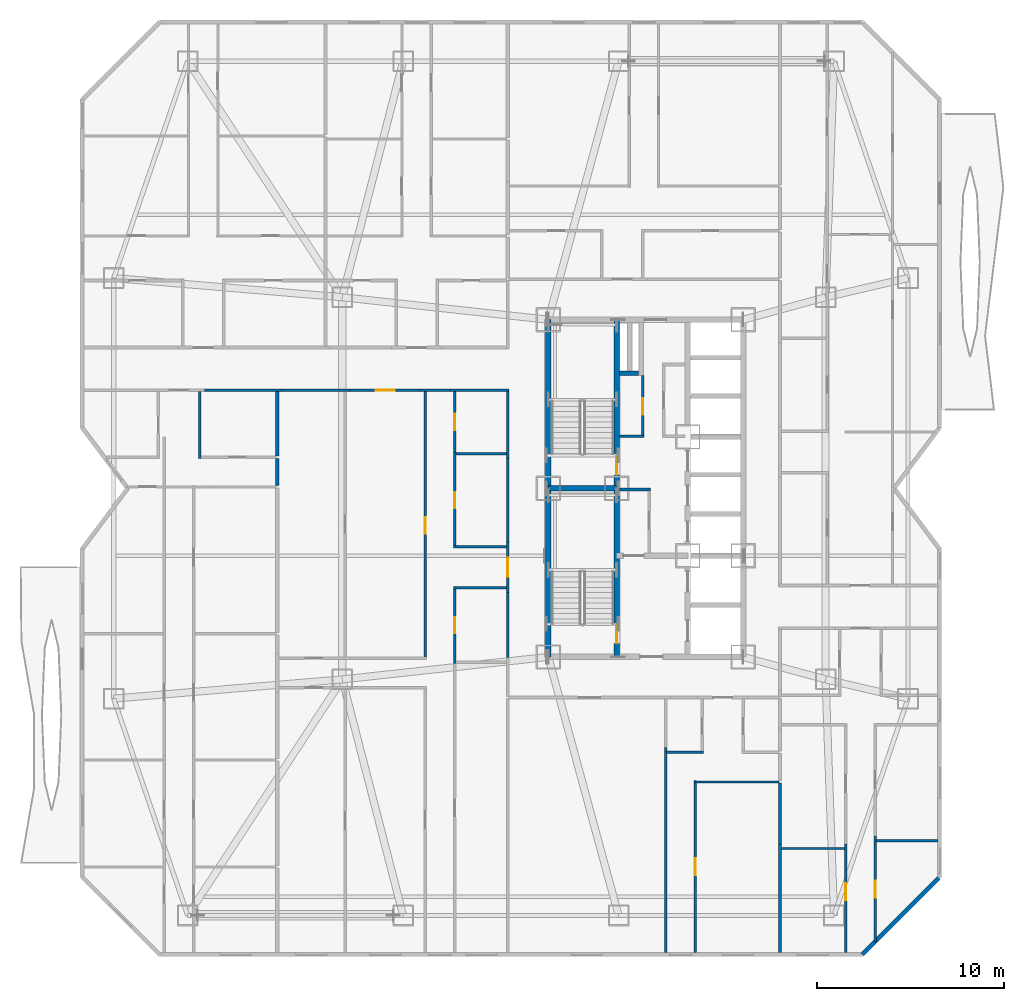
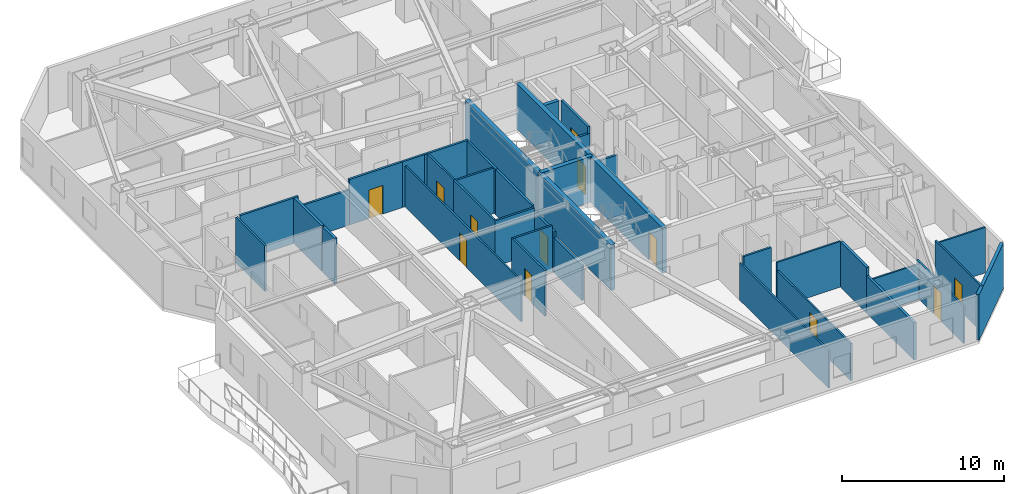
# One storey, part 9 of 16: 39 walls, 12 doors, 12 openings.
"""IFC4 building model written with IfcOpenShell, lengths in metres."""

from ifc_helpers import new_model, si_unit, direction, frame, frame_2d, origin, place, context, subcontext, project, spatial, rectangle, extrude, material, layer, layer_set, type_object, element, fill, save


model = new_model("IFC4")

# Units and contexts
model_context = context("Model", 3, precision=1e-05, world=origin(), true_north=direction((0.0, 1.0)))
body_context = subcontext(model_context, "Body", "Model", "MODEL_VIEW")
ifc_project = project(units=[si_unit("LENGTHUNIT", "METRE"), si_unit("AREAUNIT", "SQUARE_METRE"), si_unit("VOLUMEUNIT", "CUBIC_METRE"), si_unit("PLANEANGLEUNIT", "RADIAN"), si_unit("MASSUNIT", "GRAM", prefix="KILO")], contexts=[model_context])

# Site, building, storey
site_placement = place(None, origin())
site = spatial("IfcSite", under=ifc_project, at=site_placement, CompositionType="ELEMENT")
building_placement = place(site_placement, origin())
building = spatial("IfcBuilding", under=site, at=building_placement, Name="Khamvora Tower", CompositionType="ELEMENT")
storey_placement = place(building_placement, frame((0.0, 0.0, 66.14990234375)))
storey = spatial("IfcBuildingStorey", under=building, at=storey_placement, Name="L16", CompositionType="ELEMENT", Elevation=66.14990234375)

# Walls
ifc_material_1 = material(Name="Concrete C50/60", Category="concrete")
ifc_layer_1 = layer(ifc_material_1, 0.300048828125)
ifc_layer_set_1 = layer_set([ifc_layer_1], Name="Concrete C50/60")
wall_type_1 = type_object("IfcWallType", Name="WAL-CORE-300", PredefinedType="SHEAR", material=ifc_layer_set_1)
for number, where, z_axis, x_axis, name in (
    (1, (29.0, 19.0, 0.0), (0.0, 0.0, 1.0), (0.0, 1.0, 0.0), "L16 central core west south wall"),
    (2, (29.0, 28.0, 0.0), (0.0, 0.0, 1.0), (0.0, 1.0, 0.0), "L16 central core west north wall"),
):
    element("IfcWall", number, at=place(storey_placement, frame(where, z_axis=z_axis, x_axis=x_axis)), inside=storey, type_object=wall_type_1, Name=name, PredefinedType="SHEAR", context=body_context, shape_type="SweptSolid", body=[
        extrude(rectangle(XDim=9.0, YDim=0.300048828125, at=frame_2d((4.5, 0.0))), origin(), (0.0, 0.0, 1.0), 3.43017578125),
    ])

# Wall, opening, door
wall_1_placement = place(storey_placement, frame((32.64990234375, 19.0, 0.0), z_axis=(0.0, 0.0, 1.0), x_axis=(0.0, 1.0, 0.0)))
wall_1 = element("IfcWall", 3, at=wall_1_placement, inside=storey, type_object=wall_type_1, Name="L16 central core stair south spine wall", PredefinedType="SHEAR", context=body_context, shape_type="SweptSolid", body=[
    extrude(rectangle(XDim=9.0, YDim=0.300048828125, at=frame_2d((4.5, 0.0))), origin(), (0.0, 0.0, 1.0), 3.43017578125),
])
opening_1_placement = place(wall_1_placement, frame((0.719970703125, 0.0, 0.0)))
opening_1 = element("IfcOpeningElement", 4, at=opening_1_placement, cuts=wall_1, Name="Opening D-ST1", PredefinedType="OPENING", context=body_context, shape_type="SweptSolid", body=[
    extrude(rectangle(XDim=1.0, YDim=2.14990234375, at=frame_2d((0.5, 1.074951171875))), frame((0.0, 0.159912109375, 0.0), z_axis=(0.0, -1.0, 0.0), x_axis=(1.0, 0.0, 0.0)), (0.0, 0.0, 1.0), 0.320068359375),
])
ifc_material_2 = material(Name="Powder-Coated Steel and Hardwood Leaf", Category="steel")
door_type_1 = type_object("IfcDoorType", Name="DOR-STAIR-1000", OperationType="NOTDEFINED", PredefinedType="DOOR", material=ifc_material_2)
door_1_placement = place(opening_1_placement, origin())
door_1 = element("IfcDoor", 5, at=door_1_placement, inside=storey, type_object=door_type_1, Name="L16 exit stair ST-01 fire door", OperationType="SINGLE_SWING_RIGHT", OverallHeight=2.14990234375, OverallWidth=1.0, PredefinedType="DOOR", context=body_context, shape_type="SweptSolid", body=[
    extrude(rectangle(XDim=1.0, YDim=2.14990234375, at=frame_2d((0.5, 1.074951171875))), frame((0.0, 0.02490234375, 0.0), z_axis=(0.0, -1.0, 0.0), x_axis=(1.0, 0.0, 0.0)), (0.0, 0.0, 1.0), 0.050048828125),
])
fill(opening_1, door_1)

wall_2_placement = place(storey_placement, frame((32.64990234375, 28.0, 0.0), z_axis=(0.0, 0.0, 1.0), x_axis=(0.0, 1.0, 0.0)))
wall_2 = element("IfcWall", 6, at=wall_2_placement, inside=storey, type_object=wall_type_1, Name="L16 central core stair north spine wall", PredefinedType="SHEAR", context=body_context, shape_type="SweptSolid", body=[
    extrude(rectangle(XDim=9.0, YDim=0.300048828125, at=frame_2d((4.5, 0.0))), origin(), (0.0, 0.0, 1.0), 3.43017578125),
])
opening_2_placement = place(wall_2_placement, frame((0.719970703125, 0.0, 0.0)))
opening_2 = element("IfcOpeningElement", 7, at=opening_2_placement, cuts=wall_2, Name="Opening D-ST1", PredefinedType="OPENING", context=body_context, shape_type="SweptSolid", body=[
    extrude(rectangle(XDim=1.0, YDim=2.14990234375, at=frame_2d((0.5, 1.074951171875))), frame((0.0, 0.159912109375, 0.0), z_axis=(0.0, -1.0, 0.0), x_axis=(1.0, 0.0, 0.0)), (0.0, 0.0, 1.0), 0.320068359375),
])
door_2_placement = place(opening_2_placement, origin())
door_2 = element("IfcDoor", 8, at=door_2_placement, inside=storey, type_object=door_type_1, Name="L16 exit stair ST-02 fire door", OperationType="SINGLE_SWING_RIGHT", OverallHeight=2.14990234375, OverallWidth=1.0, PredefinedType="DOOR", context=body_context, shape_type="SweptSolid", body=[
    extrude(rectangle(XDim=1.0, YDim=2.14990234375, at=frame_2d((0.5, 1.074951171875))), frame((0.0, 0.02490234375, 0.0), z_axis=(0.0, -1.0, 0.0), x_axis=(1.0, 0.0, 0.0)), (0.0, 0.0, 1.0), 0.050048828125),
])
fill(opening_2, door_2)

# Walls
wall_3_placement = place(storey_placement, frame((29.0, 28.0, 0.0), z_axis=(0.0, 0.0, 1.0), x_axis=(1.0, 0.0, 0.0)))
element("IfcWall", 9, at=wall_3_placement, inside=storey, type_object=wall_type_1, Name="L16 central core stair cross wall", PredefinedType="SHEAR", context=body_context, shape_type="SweptSolid", body=[
    extrude(rectangle(XDim=3.64990234375, YDim=0.300048828125, at=frame_2d((1.824951171875, 0.0))), origin(), (0.0, 0.0, 1.0), 3.43017578125),
])
ifc_material_3 = material(Name="Fire-Rated Drywall and Steel Stud", Category="steel")
ifc_layer_2 = layer(ifc_material_3, 0.14990234375)
ifc_layer_set_2 = layer_set([ifc_layer_2], Name="Fire-Rated Drywall and Steel Stud")
wall_type_2 = type_object("IfcWallType", Name="WAL-CORR-150", PredefinedType="STANDARD", material=ifc_layer_set_2)
wall_4_placement = place(storey_placement, frame((32.7939453125, 30.784912109375, 0.0), z_axis=(0.0, 0.0, 1.0), x_axis=(1.0, 0.0, 0.0)))
element("IfcWall", 10, at=wall_4_placement, inside=storey, type_object=wall_type_2, Name="L16 interior partition wall 004", PredefinedType="STANDARD", context=body_context, shape_type="SweptSolid", body=[
    extrude(rectangle(XDim=1.30615234375, YDim=0.14990234375, at=frame_2d((0.653076171875, 0.0))), origin(), (0.0, 0.0, 1.0), 2.88720703125),
])

# Wall, opening, door
wall_5_placement = place(storey_placement, frame((34.034912109375, 30.719970703125, 0.0), z_axis=(0.0, 0.0, 1.0), x_axis=(0.0, 1.0, 0.0)))
wall_5 = element("IfcWall", 11, at=wall_5_placement, inside=storey, type_object=wall_type_2, Name="L16 interior partition wall 005", PredefinedType="STANDARD", context=body_context, shape_type="SweptSolid", body=[
    extrude(rectangle(XDim=3.300048828125, YDim=0.14990234375, at=frame_2d((1.64990234375, 0.0))), origin(), (0.0, 0.0, 1.0), 3.43017578125),
])
opening_3_placement = place(wall_5_placement, frame((1.199951171875, 0.0, 0.0)))
opening_3 = element("IfcOpeningElement", 12, at=opening_3_placement, cuts=wall_5, Name="Opening D-RM1", PredefinedType="OPENING", context=body_context, shape_type="SweptSolid", body=[
    extrude(rectangle(XDim=0.89990234375, YDim=2.10009765625, at=frame_2d((0.449951171875, 1.050048828125))), frame((0.0, 0.0849609375, 0.0), z_axis=(0.0, -1.0, 0.0), x_axis=(1.0, 0.0, 0.0)), (0.0, 0.0, 1.0), 0.169921875),
])
door_type_2 = type_object("IfcDoorType", Name="DOR-ROOM-900", OperationType="NOTDEFINED", PredefinedType="DOOR", material=ifc_material_2)
door_3_placement = place(opening_3_placement, origin())
door_3 = element("IfcDoor", 13, at=door_3_placement, inside=storey, type_object=door_type_2, Name="L16 interior door PLL-CS2", OperationType="SINGLE_SWING_LEFT", OverallHeight=2.10009765625, OverallWidth=0.89990234375, PredefinedType="DOOR", context=body_context, shape_type="SweptSolid", body=[
    extrude(rectangle(XDim=0.89990234375, YDim=2.10009765625, at=frame_2d((0.449951171875, 1.050048828125))), frame((0.0, 0.02490234375, 0.0), z_axis=(0.0, -1.0, 0.0), x_axis=(1.0, 0.0, 0.0)), (0.0, 0.0, 1.0), 0.050048828125),
])
fill(opening_3, door_3)

# Walls
wall_6_placement = place(storey_placement, frame((34.449951171875, 27.93505859375, 0.0), z_axis=(0.0, 0.0, 1.0), x_axis=(-1.0, 0.0, 0.0)))
element("IfcWall", 14, at=wall_6_placement, inside=storey, type_object=wall_type_2, Name="L16 interior partition wall 007", PredefinedType="STANDARD", context=body_context, shape_type="SweptSolid", body=[
    extrude(rectangle(XDim=1.656005859375, YDim=0.14990234375, at=frame_2d((0.828125, 0.0))), origin(), (0.0, 0.0, 1.0), 2.88720703125),
])
wall_7_placement = place(storey_placement, frame((14.782958984375, 33.235107421875, 0.0), z_axis=(0.0, 0.0, 1.0), x_axis=(-1.0, 0.0, 0.0)))
element("IfcWall", 15, at=wall_7_placement, inside=storey, type_object=wall_type_2, Name="L16 interior partition wall 011", PredefinedType="STANDARD", context=body_context, shape_type="SweptSolid", body=[
    extrude(rectangle(XDim=4.14501953125, YDim=0.14990234375, at=frame_2d((2.072509765625, 0.0))), origin(), (0.0, 0.0, 1.0), 3.43017578125),
])
wall_8_placement = place(storey_placement, frame((26.8349609375, 29.60009765625, 0.0), z_axis=(0.0, 0.0, 1.0), x_axis=(0.0, 1.0, 0.0)))
element("IfcWall", 16, at=wall_8_placement, inside=storey, type_object=wall_type_2, Name="L16 interior partition wall 013", PredefinedType="STANDARD", context=body_context, shape_type="SweptSolid", body=[
    extrude(rectangle(XDim=3.699951171875, YDim=0.14990234375, at=frame_2d((1.85009765625, 0.0))), origin(), (0.0, 0.0, 1.0), 3.43017578125),
])
wall_9_placement = place(storey_placement, frame((26.89794921875, 33.235107421875, 0.0), z_axis=(0.0, 0.0, 1.0), x_axis=(-1.0, 0.0, 0.0)))
element("IfcWall", 17, at=wall_9_placement, inside=storey, type_object=wall_type_2, Name="L16 interior partition wall 014", PredefinedType="STANDARD", context=body_context, shape_type="SweptSolid", body=[
    extrude(rectangle(XDim=3.14306640625, YDim=0.14990234375, at=frame_2d((1.571533203125, 0.0))), origin(), (0.0, 0.0, 1.0), 3.43017578125),
])

# Wall, opening, door
wall_10_placement = place(storey_placement, frame((26.8349609375, 22.43505859375, 0.0), z_axis=(0.0, 0.0, 1.0), x_axis=(0.0, 1.0, 0.0)))
wall_10 = element("IfcWall", 18, at=wall_10_placement, inside=storey, type_object=wall_type_2, Name="L16 interior partition wall 015", PredefinedType="STANDARD", context=body_context, shape_type="SweptSolid", body=[
    extrude(rectangle(XDim=2.697998046875, YDim=0.14990234375, at=frame_2d((1.34912109375, 0.0))), origin(), (0.0, 0.0, 1.0), 3.065185546875),
])
opening_4_placement = place(wall_10_placement, frame((0.84912109375, 0.0, 0.0)))
opening_4 = element("IfcOpeningElement", 19, at=opening_4_placement, cuts=wall_10, Name="Opening D-U1", PredefinedType="OPENING", context=body_context, shape_type="SweptSolid", body=[
    extrude(rectangle(XDim=1.0, YDim=2.14990234375, at=frame_2d((0.5, 1.074951171875))), frame((0.0, 0.0849609375, 0.0), z_axis=(0.0, -1.0, 0.0), x_axis=(1.0, 0.0, 0.0)), (0.0, 0.0, 1.0), 0.169921875),
])
door_type_3 = type_object("IfcDoorType", Name="DOR-UNIT-1000", OperationType="NOTDEFINED", PredefinedType="DOOR", material=ifc_material_2)
door_4_placement = place(opening_4_placement, origin())
door_4 = element("IfcDoor", 20, at=door_4_placement, inside=storey, type_object=door_type_3, Name="L16 interior door COR-16WA2H", OperationType="SINGLE_SWING_LEFT", OverallHeight=2.14990234375, OverallWidth=1.0, PredefinedType="DOOR", context=body_context, shape_type="SweptSolid", body=[
    extrude(rectangle(XDim=1.0, YDim=2.14990234375, at=frame_2d((0.5, 1.074951171875))), frame((0.0, 0.02490234375, 0.0), z_axis=(0.0, -1.0, 0.0), x_axis=(1.0, 0.0, 0.0)), (0.0, 0.0, 1.0), 0.050048828125),
])
fill(opening_4, door_4)

# Walls
wall_11_placement = place(storey_placement, frame((23.7548828125, 33.235107421875, 0.0), z_axis=(0.0, 0.0, 1.0), x_axis=(-1.0, 0.0, 0.0)))
element("IfcWall", 21, at=wall_11_placement, inside=storey, type_object=wall_type_2, Name="L16 interior partition wall 016", PredefinedType="STANDARD", context=body_context, shape_type="SweptSolid", body=[
    extrude(rectangle(XDim=1.579833984375, YDim=0.14990234375, at=frame_2d((0.7900390625, 0.0))), origin(), (0.0, 0.0, 1.0), 3.43017578125),
])
wall_12_placement = place(storey_placement, frame((26.8349609375, 18.968017578125, 0.0), z_axis=(0.0, 0.0, 1.0), x_axis=(0.0, 1.0, 0.0)))
element("IfcWall", 22, at=wall_12_placement, inside=storey, type_object=wall_type_2, Name="L16 interior partition wall 017", PredefinedType="STANDARD", context=body_context, shape_type="SweptSolid", body=[
    extrude(rectangle(XDim=3.467041015625, YDim=0.14990234375, at=frame_2d((1.7333984375, 0.0))), origin(), (0.0, 0.0, 1.0), 2.647216796875),
])
wall_13_placement = place(storey_placement, frame((26.8349609375, 25.133056640625, 0.0), z_axis=(0.0, 0.0, 1.0), x_axis=(0.0, 1.0, 0.0)))
element("IfcWall", 23, at=wall_13_placement, inside=storey, type_object=wall_type_2, Name="L16 interior partition wall 018", PredefinedType="STANDARD", context=body_context, shape_type="SweptSolid", body=[
    extrude(rectangle(XDim=4.467041015625, YDim=0.14990234375, at=frame_2d((2.2333984375, 0.0))), origin(), (0.0, 0.0, 1.0), 3.43017578125),
])
wall_14_placement = place(storey_placement, frame((18.406982421875, 33.235107421875, 0.0), z_axis=(0.0, 0.0, 1.0), x_axis=(-1.0, 0.0, 0.0)))
element("IfcWall", 24, at=wall_14_placement, inside=storey, type_object=wall_type_2, Name="L16 interior partition wall 019", PredefinedType="STANDARD", context=body_context, shape_type="SweptSolid", body=[
    extrude(rectangle(XDim=3.6240234375, YDim=0.14990234375, at=frame_2d((1.81201171875, 0.0))), origin(), (0.0, 0.0, 1.0), 2.647216796875),
])

# Wall, opening, door
wall_15_placement = place(storey_placement, frame((22.175048828125, 33.235107421875, 0.0), z_axis=(0.0, 0.0, 1.0), x_axis=(-1.0, 0.0, 0.0)))
wall_15 = element("IfcWall", 25, at=wall_15_placement, inside=storey, type_object=wall_type_2, Name="L16 interior partition wall 020", PredefinedType="STANDARD", context=body_context, shape_type="SweptSolid", body=[
    extrude(rectangle(XDim=3.76806640625, YDim=0.14990234375, at=frame_2d((1.884033203125, 0.0))), origin(), (0.0, 0.0, 1.0), 3.43017578125),
])
opening_5_placement = place(wall_15_placement, frame((1.384033203125, 0.0, 0.0)))
opening_5 = element("IfcOpeningElement", 26, at=opening_5_placement, cuts=wall_15, Name="Opening D-U1", PredefinedType="OPENING", context=body_context, shape_type="SweptSolid", body=[
    extrude(rectangle(XDim=1.0, YDim=2.14990234375, at=frame_2d((0.5, 1.074951171875))), frame((0.0, 0.0849609375, 0.0), z_axis=(0.0, -1.0, 0.0), x_axis=(1.0, 0.0, 0.0)), (0.0, 0.0, 1.0), 0.169921875),
])
door_5_placement = place(opening_5_placement, origin())
door_5 = element("IfcDoor", 27, at=door_5_placement, inside=storey, type_object=door_type_3, Name="L16 interior door COR-16WA2R4", OperationType="SINGLE_SWING_RIGHT", OverallHeight=2.14990234375, OverallWidth=1.0, PredefinedType="DOOR", context=body_context, shape_type="SweptSolid", body=[
    extrude(rectangle(XDim=1.0, YDim=2.14990234375, at=frame_2d((0.5, 1.074951171875))), frame((0.0, 0.02490234375, 0.0), z_axis=(0.0, -1.0, 0.0), x_axis=(1.0, 0.0, 0.0)), (0.0, 0.0, 1.0), 0.050048828125),
])
fill(opening_5, door_5)

# Walls
ifc_material_4 = material(Name="Acoustic Double-Stud Fire Wall", Category="gypsum")
ifc_layer_3 = layer(ifc_material_4, 0.179931640625)
ifc_layer_set_3 = layer_set([ifc_layer_3], Name="Acoustic Double-Stud Fire Wall")
wall_type_3 = type_object("IfcWallType", Name="WAL-CORR-180", PredefinedType="STANDARD", material=ifc_layer_set_3)
wall_16_placement = place(storey_placement, frame((14.533935546875, 29.590087890625, 0.0), z_axis=(0.0, 0.0, 1.0), x_axis=(0.0, -1.0, 0.0)))
element("IfcWall", 28, at=wall_16_placement, inside=storey, type_object=wall_type_3, Name="L16 interior partition wall 064", PredefinedType="STANDARD", context=body_context, shape_type="SweptSolid", body=[
    extrude(rectangle(XDim=1.4501953125, YDim=0.179931640625, at=frame_2d((0.72509765625, 0.0))), origin(), (0.0, 0.0, 1.0), 3.43017578125),
])
wall_17_placement = place(storey_placement, frame((14.533935546875, 33.16796875, 0.0), z_axis=(0.0, 0.0, 1.0), x_axis=(0.0, -1.0, 0.0)))
element("IfcWall", 29, at=wall_17_placement, inside=storey, type_object=wall_type_3, Name="L16 interior partition wall 065", PredefinedType="STANDARD", context=body_context, shape_type="SweptSolid", body=[
    extrude(rectangle(XDim=3.447998046875, YDim=0.179931640625, at=frame_2d((1.72412109375, 0.0))), origin(), (0.0, 0.0, 1.0), 3.43017578125),
])
wall_18_placement = place(storey_placement, frame((41.364990234375, 9.02587890625, 0.0), z_axis=(0.0, 0.0, 1.0), x_axis=(0.0, -1.0, 0.0)))
element("IfcWall", 30, at=wall_18_placement, inside=storey, type_object=wall_type_3, Name="L16 interior partition wall 135", PredefinedType="STANDARD", context=body_context, shape_type="SweptSolid", body=[
    extrude(rectangle(XDim=5.81396484375, YDim=0.179931640625, at=frame_2d((2.906982421875, 0.0))), origin(), (0.0, 0.0, 1.0), 2.802978515625),
])
wall_19_placement = place(storey_placement, frame((41.364990234375, 12.260986328125, 0.0), z_axis=(0.0, 0.0, 1.0), x_axis=(0.0, -1.0, 0.0)))
element("IfcWall", 31, at=wall_19_placement, inside=storey, type_object=wall_type_3, Name="L16 interior partition wall 136", PredefinedType="STANDARD", context=body_context, shape_type="SweptSolid", body=[
    extrude(rectangle(XDim=3.235107421875, YDim=0.179931640625, at=frame_2d((1.61767578125, 0.0))), origin(), (0.0, 0.0, 1.0), 3.43017578125),
])
ifc_material_5 = material(Name="Precast concrete C40/50", Category="concrete")
ifc_layer_4 = layer(ifc_material_5, 0.219970703125)
ifc_layer_set_4 = layer_set([ifc_layer_4], Name="Precast concrete C40/50")
wall_type_4 = type_object("IfcWallType", Name="WAL-EXT-220", PredefinedType="STANDARD", material=ifc_layer_set_4)
wall_20_placement = place(storey_placement, frame((49.840087890625, 7.196044921875, 0.0), z_axis=(0.0, 0.0, 1.0), x_axis=(-0.707127905562, -0.70708565618, 0.0)))
element("IfcWall", 32, at=wall_20_placement, inside=storey, type_object=wall_type_4, Name="L16 exterior facade wall 13.1", PredefinedType="STANDARD", context=body_context, shape_type="SweptSolid", body=[
    extrude(rectangle(XDim=5.778564453125, YDim=0.219970703125, at=frame_2d((2.88916015625, 0.0))), origin(), (0.0, 0.0, 1.0), 3.43017578125),
])
ifc_material_6 = material(Name="Gypsum Plasterboard Partition", Category="gypsum")
ifc_layer_5 = layer(ifc_material_6, 0.1201171875)
ifc_layer_set_5 = layer_set([ifc_layer_5], Name="Gypsum Plasterboard Partition")
wall_type_5 = type_object("IfcWallType", Name="WAL-PART-120", PredefinedType="PARTITIONING", material=ifc_layer_set_5)
wall_21_placement = place(storey_placement, frame((35.264892578125, 14.155029296875, 0.0), z_axis=(0.0, 0.0, 1.0), x_axis=(0.0, -1.0, 0.0)))
element("IfcWall", 33, at=wall_21_placement, inside=storey, type_object=wall_type_5, Name="L16 interior partition wall 048", PredefinedType="PARTITIONING", context=body_context, shape_type="SweptSolid", body=[
    extrude(rectangle(XDim=10.943115234375, YDim=0.1201171875, at=frame_2d((5.4716796875, 0.0))), origin(), (0.0, 0.0, 1.0), 2.802978515625),
])

# Wall, opening, door
wall_22_placement = place(storey_placement, frame((24.00390625, 29.9140625, 0.0), z_axis=(0.0, 0.0, 1.0), x_axis=(0.0, 1.0, 0.0)))
wall_22 = element("IfcWall", 34, at=wall_22_placement, inside=storey, type_object=wall_type_5, Name="L16 interior partition wall 080", PredefinedType="PARTITIONING", context=body_context, shape_type="SweptSolid", body=[
    extrude(rectangle(XDim=3.25390625, YDim=0.1201171875, at=frame_2d((1.626953125, 0.0))), origin(), (0.0, 0.0, 1.0), 3.43017578125),
])
opening_6_placement = place(wall_22_placement, frame((1.177001953125, 0.0, 0.0)))
opening_6 = element("IfcOpeningElement", 35, at=opening_6_placement, cuts=wall_22, Name="Opening D-RM1", PredefinedType="OPENING", context=body_context, shape_type="SweptSolid", body=[
    extrude(rectangle(XDim=0.89990234375, YDim=2.10009765625, at=frame_2d((0.449951171875, 1.050048828125))), frame((0.0, 0.070068359375, 0.0), z_axis=(0.0, -1.0, 0.0), x_axis=(1.0, 0.0, 0.0)), (0.0, 0.0, 1.0), 0.14013671875),
])
door_6_placement = place(opening_6_placement, origin())
door_6 = element("IfcDoor", 36, at=door_6_placement, inside=storey, type_object=door_type_2, Name="L16 interior door 16WA2W2-16WA2H", OperationType="SINGLE_SWING_LEFT", OverallHeight=2.10009765625, OverallWidth=0.89990234375, PredefinedType="DOOR", context=body_context, shape_type="SweptSolid", body=[
    extrude(rectangle(XDim=0.89990234375, YDim=2.10009765625, at=frame_2d((0.449951171875, 1.050048828125))), frame((0.0, 0.02490234375, 0.0), z_axis=(0.0, -1.0, 0.0), x_axis=(1.0, 0.0, 0.0)), (0.0, 0.0, 1.0), 0.050048828125),
])
fill(opening_6, door_6)

wall_23_placement = place(storey_placement, frame((22.424072265625, 18.860107421875, 0.0), z_axis=(0.0, 0.0, 1.0), x_axis=(0.0, 1.0, 0.0)))
wall_23 = element("IfcWall", 37, at=wall_23_placement, inside=storey, type_object=wall_type_5, Name="L16 interior partition wall 091", PredefinedType="PARTITIONING", context=body_context, shape_type="SweptSolid", body=[
    extrude(rectangle(XDim=14.307861328125, YDim=0.1201171875, at=frame_2d((7.15380859375, 0.0))), origin(), (0.0, 0.0, 1.0), 3.065185546875),
])
opening_7_placement = place(wall_23_placement, frame((6.7041015625, 0.0, 0.0)))
opening_7 = element("IfcOpeningElement", 38, at=opening_7_placement, cuts=wall_23, Name="Opening D-RM1", PredefinedType="OPENING", context=body_context, shape_type="SweptSolid", body=[
    extrude(rectangle(XDim=0.89990234375, YDim=2.10009765625, at=frame_2d((0.449951171875, 1.050048828125))), frame((0.0, 0.070068359375, 0.0), z_axis=(0.0, -1.0, 0.0), x_axis=(1.0, 0.0, 0.0)), (0.0, 0.0, 1.0), 0.14013671875),
])
door_7_placement = place(opening_7_placement, origin())
door_7 = element("IfcDoor", 39, at=door_7_placement, inside=storey, type_object=door_type_2, Name="L16 interior door 16WA2H-16WA2R4", OperationType="SINGLE_SWING_LEFT", OverallHeight=2.10009765625, OverallWidth=0.89990234375, PredefinedType="DOOR", context=body_context, shape_type="SweptSolid", body=[
    extrude(rectangle(XDim=0.89990234375, YDim=2.10009765625, at=frame_2d((0.449951171875, 1.050048828125))), frame((0.0, 0.02490234375, 0.0), z_axis=(0.0, -1.0, 0.0), x_axis=(1.0, 0.0, 0.0)), (0.0, 0.0, 1.0), 0.050048828125),
])
fill(opening_7, door_7)

# Wall
wall_24_placement = place(storey_placement, frame((41.300048828125, 12.325927734375, 0.0), z_axis=(0.0, 0.0, 1.0), x_axis=(-1.0, 0.0, 0.0)))
element("IfcWall", 40, at=wall_24_placement, inside=storey, type_object=wall_type_5, Name="L16 interior partition wall 130", PredefinedType="PARTITIONING", context=body_context, shape_type="SweptSolid", body=[
    extrude(rectangle(XDim=4.52001953125, YDim=0.1201171875, at=frame_2d((2.260009765625, 0.0))), origin(), (0.0, 0.0, 1.0), 3.43017578125),
])

# Wall, opening, door
wall_25_placement = place(storey_placement, frame((36.844970703125, 12.39111328125, 0.0), z_axis=(0.0, 0.0, 1.0), x_axis=(0.0, -1.0, 0.0)))
wall_25 = element("IfcWall", 41, at=wall_25_placement, inside=storey, type_object=wall_type_5, Name="L16 interior partition wall 131", PredefinedType="PARTITIONING", context=body_context, shape_type="SweptSolid", body=[
    extrude(rectangle(XDim=9.17919921875, YDim=0.1201171875, at=frame_2d((4.589599609375, 0.0))), origin(), (0.0, 0.0, 1.0), 2.802978515625),
])
opening_8_placement = place(wall_25_placement, frame((4.138916015625, 0.0, 0.0)))
opening_8 = element("IfcOpeningElement", 42, at=opening_8_placement, cuts=wall_25, Name="Opening D-RM1", PredefinedType="OPENING", context=body_context, shape_type="SweptSolid", body=[
    extrude(rectangle(XDim=0.89990234375, YDim=2.10009765625, at=frame_2d((0.449951171875, 1.050048828125))), frame((0.0, 0.070068359375, 0.0), z_axis=(0.0, -1.0, 0.0), x_axis=(1.0, 0.0, 0.0)), (0.0, 0.0, 1.0), 0.14013671875),
])
door_8_placement = place(opening_8_placement, origin())
door_8 = element("IfcDoor", 43, at=door_8_placement, inside=storey, type_object=door_type_2, Name="L16 interior door 16SAH-16SAR1", OperationType="SINGLE_SWING_LEFT", OverallHeight=2.10009765625, OverallWidth=0.89990234375, PredefinedType="DOOR", context=body_context, shape_type="SweptSolid", body=[
    extrude(rectangle(XDim=0.89990234375, YDim=2.10009765625, at=frame_2d((0.449951171875, 1.050048828125))), frame((0.0, 0.02490234375, 0.0), z_axis=(0.0, -1.0, 0.0), x_axis=(1.0, 0.0, 0.0)), (0.0, 0.0, 1.0), 0.050048828125),
])
fill(opening_8, door_8)

wall_26_placement = place(storey_placement, frame((44.875, 3.2119140625, 0.0), z_axis=(0.0, 0.0, 1.0), x_axis=(0.0, 1.0, 0.0)))
wall_26 = element("IfcWall", 44, at=wall_26_placement, inside=storey, type_object=wall_type_5, Name="L16 interior partition wall 152", PredefinedType="PARTITIONING", context=body_context, shape_type="SweptSolid", body=[
    extrude(rectangle(XDim=5.81396484375, YDim=0.1201171875, at=frame_2d((2.906982421875, 0.0))), origin(), (0.0, 0.0, 1.0), 2.802978515625),
])
opening_9_placement = place(wall_26_placement, frame((2.800048828125, 0.0, 0.0)))
opening_9 = element("IfcOpeningElement", 45, at=opening_9_placement, cuts=wall_26, Name="Opening D-RM1", PredefinedType="OPENING", context=body_context, shape_type="SweptSolid", body=[
    extrude(rectangle(XDim=0.89990234375, YDim=2.10009765625, at=frame_2d((0.449951171875, 1.050048828125))), frame((0.0, 0.070068359375, 0.0), z_axis=(0.0, -1.0, 0.0), x_axis=(1.0, 0.0, 0.0)), (0.0, 0.0, 1.0), 0.14013671875),
])
door_9_placement = place(opening_9_placement, origin())
door_9 = element("IfcDoor", 46, at=door_9_placement, inside=storey, type_object=door_type_2, Name="L16 interior door 16EAH-16EAL", OperationType="SINGLE_SWING_RIGHT", OverallHeight=2.10009765625, OverallWidth=0.89990234375, PredefinedType="DOOR", context=body_context, shape_type="SweptSolid", body=[
    extrude(rectangle(XDim=0.89990234375, YDim=2.10009765625, at=frame_2d((0.449951171875, 1.050048828125))), frame((0.0, 0.02490234375, 0.0), z_axis=(0.0, -1.0, 0.0), x_axis=(1.0, 0.0, 0.0)), (0.0, 0.0, 1.0), 0.050048828125),
])
fill(opening_9, door_9)

wall_27_placement = place(storey_placement, frame((46.445068359375, 9.430908203125, 0.0), z_axis=(0.0, 0.0, 1.0), x_axis=(0.0, -1.0, 0.0)))
wall_27 = element("IfcWall", 47, at=wall_27_placement, inside=storey, type_object=wall_type_5, Name="L16 interior partition wall 155", PredefinedType="PARTITIONING", context=body_context, shape_type="SweptSolid", body=[
    extrude(rectangle(XDim=5.638916015625, YDim=0.1201171875, at=frame_2d((2.8193359375, 0.0))), origin(), (0.0, 0.0, 1.0), 3.43017578125),
])
opening_10_placement = place(wall_27_placement, frame((2.389892578125, 0.0, 0.0)))
opening_10 = element("IfcOpeningElement", 48, at=opening_10_placement, cuts=wall_27, Name="Opening D-RM1", PredefinedType="OPENING", context=body_context, shape_type="SweptSolid", body=[
    extrude(rectangle(XDim=0.89990234375, YDim=2.10009765625, at=frame_2d((0.449951171875, 1.050048828125))), frame((0.0, 0.070068359375, 0.0), z_axis=(0.0, -1.0, 0.0), x_axis=(1.0, 0.0, 0.0)), (0.0, 0.0, 1.0), 0.14013671875),
])
door_10_placement = place(opening_10_placement, origin())
door_10 = element("IfcDoor", 49, at=door_10_placement, inside=storey, type_object=door_type_2, Name="L16 interior door 16EAH-16EAR3", OperationType="SINGLE_SWING_RIGHT", OverallHeight=2.10009765625, OverallWidth=0.89990234375, PredefinedType="DOOR", context=body_context, shape_type="SweptSolid", body=[
    extrude(rectangle(XDim=0.89990234375, YDim=2.10009765625, at=frame_2d((0.449951171875, 1.050048828125))), frame((0.0, 0.02490234375, 0.0), z_axis=(0.0, -1.0, 0.0), x_axis=(1.0, 0.0, 0.0)), (0.0, 0.0, 1.0), 0.050048828125),
])
fill(opening_10, door_10)

# Walls
wall_28_placement = place(storey_placement, frame((41.447021484375, 8.777099609375, 0.0), z_axis=(0.0, 0.0, 1.0), x_axis=(1.0, 0.0, 0.0)))
element("IfcWall", 50, at=wall_28_placement, inside=storey, type_object=wall_type_5, Name="L16 interior partition wall 158", PredefinedType="PARTITIONING", context=body_context, shape_type="SweptSolid", body=[
    extrude(rectangle(XDim=3.3740234375, YDim=0.1201171875, at=frame_2d((1.68701171875, 0.0))), origin(), (0.0, 0.0, 1.0), 2.647216796875),
])
wall_29_placement = place(storey_placement, frame((46.4990234375, 9.181884765625, 0.0), z_axis=(0.0, 0.0, 1.0), x_axis=(1.0, 0.0, 0.0)))
element("IfcWall", 51, at=wall_29_placement, inside=storey, type_object=wall_type_5, Name="L16 interior partition wall 159", PredefinedType="PARTITIONING", context=body_context, shape_type="SweptSolid", body=[
    extrude(rectangle(XDim=3.2890625, YDim=0.1201171875, at=frame_2d((1.64453125, 0.0))), origin(), (0.0, 0.0, 1.0), 3.43017578125),
])
ifc_material_7 = material(Name="Concrete C40/50", Category="concrete")
ifc_layer_6 = layer(ifc_material_7, 0.25)
ifc_layer_set_6 = layer_set([ifc_layer_6], Name="Concrete C40/50")
wall_type_6 = type_object("IfcWallType", Name="WAL-PODS-250", PredefinedType="SHEAR", material=ifc_layer_set_6)
wall_30_placement = place(storey_placement, frame((32.803955078125, 34.14990234375, 0.0), z_axis=(0.0, 0.0, 1.0), x_axis=(1.0, 0.0, 0.0)))
element("IfcWall", 52, at=wall_30_placement, inside=storey, type_object=wall_type_6, Name="L16 vertical MEP riser shaft south enclosure wall", PredefinedType="SHEAR", context=body_context, shape_type="SweptSolid", body=[
    extrude(rectangle(XDim=1.02197265625, YDim=0.25, at=frame_2d((0.510986328125, 0.0))), origin(), (0.0, 0.0, 1.0), 3.43017578125),
])
ifc_material_8 = material(Name="Moisture-Resistant Plasterboard Partition", Category="gypsum")
ifc_layer_7 = layer(ifc_material_8, 0.135009765625)
ifc_layer_set_7 = layer_set([ifc_layer_7], Name="Moisture-Resistant Plasterboard Partition")
wall_type_7 = type_object("IfcWallType", Name="WAL-WET-135", PredefinedType="PARTITIONING", material=ifc_layer_set_7)
wall_31_placement = place(storey_placement, frame((10.388916015625, 33.16796875, 0.0), z_axis=(0.0, 0.0, 1.0), x_axis=(0.0, -1.0, 0.0)))
element("IfcWall", 53, at=wall_31_placement, inside=storey, type_object=wall_type_7, Name="L16 interior partition wall 052", PredefinedType="PARTITIONING", context=body_context, shape_type="SweptSolid", body=[
    extrude(rectangle(XDim=3.577880859375, YDim=0.135009765625, at=frame_2d((1.7890625, 0.0))), origin(), (0.0, 0.0, 1.0), 3.43017578125),
])
wall_32_placement = place(storey_placement, frame((26.77001953125, 29.84912109375, 0.0), z_axis=(0.0, 0.0, 1.0), x_axis=(-1.0, 0.0, 0.0)))
element("IfcWall", 54, at=wall_32_placement, inside=storey, type_object=wall_type_7, Name="L16 interior partition wall 081", PredefinedType="PARTITIONING", context=body_context, shape_type="SweptSolid", body=[
    extrude(rectangle(XDim=2.700927734375, YDim=0.135009765625, at=frame_2d((1.3505859375, 0.0))), origin(), (0.0, 0.0, 1.0), 3.43017578125),
])
wall_33_placement = place(storey_placement, frame((26.77001953125, 22.68408203125, 0.0), z_axis=(0.0, 0.0, 1.0), x_axis=(-1.0, 0.0, 0.0)))
element("IfcWall", 55, at=wall_33_placement, inside=storey, type_object=wall_type_7, Name="L16 interior partition wall 082", PredefinedType="PARTITIONING", context=body_context, shape_type="SweptSolid", body=[
    extrude(rectangle(XDim=2.8310546875, YDim=0.135009765625, at=frame_2d((1.41552734375, 0.0))), origin(), (0.0, 0.0, 1.0), 3.43017578125),
])

# Wall, opening, door
wall_34_placement = place(storey_placement, frame((24.00390625, 22.7490234375, 0.0), z_axis=(0.0, 0.0, 1.0), x_axis=(0.0, -1.0, 0.0)))
wall_34 = element("IfcWall", 56, at=wall_34_placement, inside=storey, type_object=wall_type_7, Name="L16 interior partition wall 083", PredefinedType="PARTITIONING", context=body_context, shape_type="SweptSolid", body=[
    extrude(rectangle(XDim=4.094970703125, YDim=0.135009765625, at=frame_2d((2.04736328125, 0.0))), origin(), (0.0, 0.0, 1.0), 3.43017578125),
])
opening_11_placement = place(wall_34_placement, frame((1.6220703125, 0.0, 0.0)))
opening_11 = element("IfcOpeningElement", 57, at=opening_11_placement, cuts=wall_34, Name="Opening D-WC1", PredefinedType="OPENING", context=body_context, shape_type="SweptSolid", body=[
    extrude(rectangle(XDim=0.85009765625, YDim=2.10009765625, at=frame_2d((0.425048828125, 1.050048828125))), frame((0.0, 0.077392578125, 0.0), z_axis=(0.0, -1.0, 0.0), x_axis=(1.0, 0.0, 0.0)), (0.0, 0.0, 1.0), 0.155029296875),
])
door_type_4 = type_object("IfcDoorType", Name="DOR-WET-850", OperationType="NOTDEFINED", PredefinedType="DOOR", material=ifc_material_2)
door_11_placement = place(opening_11_placement, origin())
door_11 = element("IfcDoor", 58, at=door_11_placement, inside=storey, type_object=door_type_4, Name="L16 interior door 16WA2H-16WA2B", OperationType="SINGLE_SWING_RIGHT", OverallHeight=2.10009765625, OverallWidth=0.85009765625, PredefinedType="DOOR", context=body_context, shape_type="SweptSolid", body=[
    extrude(rectangle(XDim=0.85009765625, YDim=2.10009765625, at=frame_2d((0.425048828125, 1.050048828125))), frame((0.0, 0.02490234375, 0.0), z_axis=(0.0, -1.0, 0.0), x_axis=(1.0, 0.0, 0.0)), (0.0, 0.0, 1.0), 0.050048828125),
])
fill(opening_11, door_11)

wall_35_placement = place(storey_placement, frame((24.00390625, 29.9140625, 0.0), z_axis=(0.0, 0.0, 1.0), x_axis=(0.0, -1.0, 0.0)))
wall_35 = element("IfcWall", 59, at=wall_35_placement, inside=storey, type_object=wall_type_7, Name="L16 interior partition wall 084", PredefinedType="PARTITIONING", context=body_context, shape_type="SweptSolid", body=[
    extrude(rectangle(XDim=5.094970703125, YDim=0.135009765625, at=frame_2d((2.54736328125, 0.0))), origin(), (0.0, 0.0, 1.0), 3.43017578125),
])
opening_12_placement = place(wall_35_placement, frame((2.123046875, 0.0, 0.0)))
opening_12 = element("IfcOpeningElement", 60, at=opening_12_placement, cuts=wall_35, Name="Opening D-RM2", PredefinedType="OPENING", context=body_context, shape_type="SweptSolid", body=[
    extrude(rectangle(XDim=0.85009765625, YDim=2.10009765625, at=frame_2d((0.425048828125, 1.050048828125))), frame((0.0, 0.077392578125, 0.0), z_axis=(0.0, -1.0, 0.0), x_axis=(1.0, 0.0, 0.0)), (0.0, 0.0, 1.0), 0.155029296875),
])
door_type_5 = type_object("IfcDoorType", Name="DOR-ROOM-850", OperationType="NOTDEFINED", PredefinedType="DOOR", material=ifc_material_2)
door_12_placement = place(opening_12_placement, origin())
door_12 = element("IfcDoor", 61, at=door_12_placement, inside=storey, type_object=door_type_5, Name="L16 interior door 16WA2H-16WA2K", OperationType="SINGLE_SWING_LEFT", OverallHeight=2.10009765625, OverallWidth=0.85009765625, PredefinedType="DOOR", context=body_context, shape_type="SweptSolid", body=[
    extrude(rectangle(XDim=0.85009765625, YDim=2.10009765625, at=frame_2d((0.425048828125, 1.050048828125))), frame((0.0, 0.02490234375, 0.0), z_axis=(0.0, -1.0, 0.0), x_axis=(1.0, 0.0, 0.0)), (0.0, 0.0, 1.0), 0.050048828125),
])
fill(opening_12, door_12)

# Walls
wall_36_placement = place(storey_placement, frame((23.93896484375, 24.884033203125, 0.0), z_axis=(0.0, 0.0, 1.0), x_axis=(1.0, 0.0, 0.0)))
element("IfcWall", 62, at=wall_36_placement, inside=storey, type_object=wall_type_7, Name="L16 interior partition wall 085", PredefinedType="PARTITIONING", context=body_context, shape_type="SweptSolid", body=[
    extrude(rectangle(XDim=2.8310546875, YDim=0.135009765625, at=frame_2d((1.41552734375, 0.0))), origin(), (0.0, 0.0, 1.0), 3.43017578125),
])
wall_37_placement = place(storey_placement, frame((35.319091796875, 13.906005859375, 0.0), z_axis=(0.0, 0.0, 1.0), x_axis=(1.0, 0.0, 0.0)))
element("IfcWall", 63, at=wall_37_placement, inside=storey, type_object=wall_type_7, Name="L16 interior partition wall 126", PredefinedType="PARTITIONING", context=body_context, shape_type="SweptSolid", body=[
    extrude(rectangle(XDim=1.9609375, YDim=0.135009765625, at=frame_2d((0.98046875, 0.0))), origin(), (0.0, 0.0, 1.0), 3.43017578125),
])

save(model, "model.ifc")
